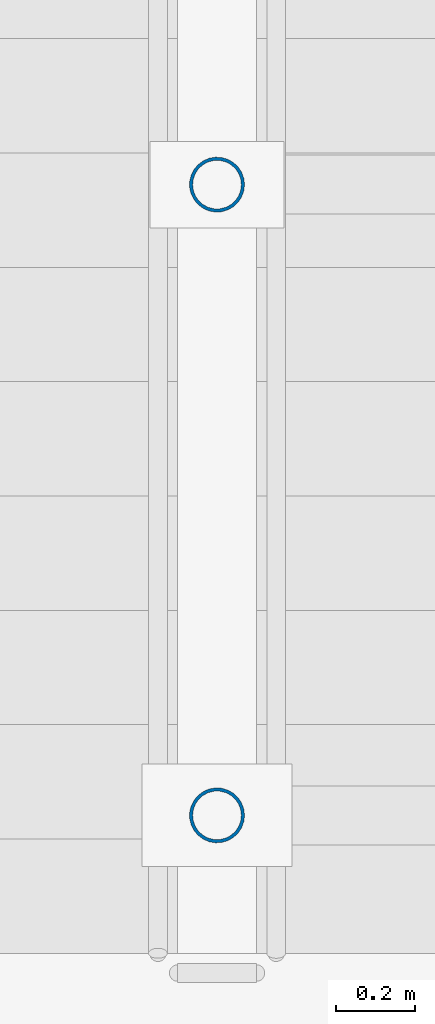
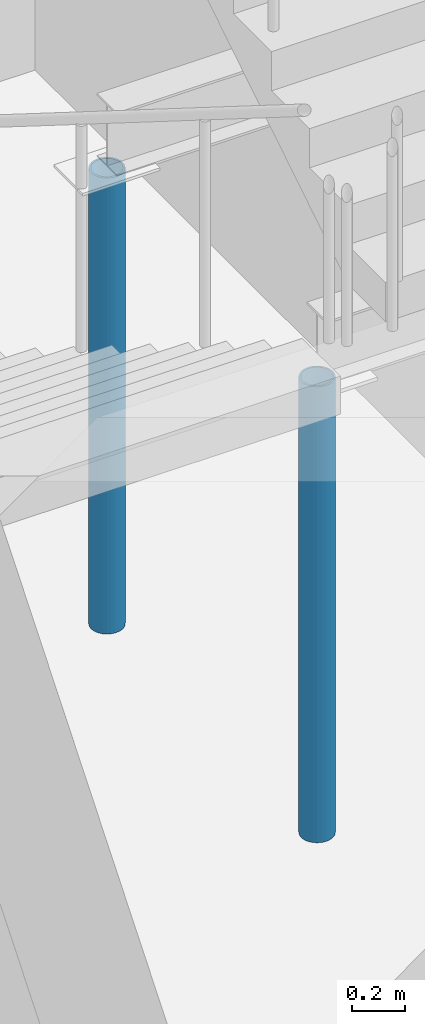
# One storey, part 5 of 80: 2 columns.
"""IFC4 building model written with IfcOpenShell, lengths in metres."""

from ifc_helpers import new_model, si_unit, direction, frame, origin, origin_2d, place, context, subcontext, project, spatial, hollow_circle, extrude, material, material_profile, profile_set, type_object, element, save


model = new_model("IFC4")

# Units and contexts
model_context = context("Model", 3, precision=1e-05, world=origin(), true_north=direction((0.0, 1.0)))
body_context = subcontext(model_context, "Body", "Model", "MODEL_VIEW")
ifc_project = project(units=[si_unit("LENGTHUNIT", "METRE"), si_unit("AREAUNIT", "SQUARE_METRE"), si_unit("VOLUMEUNIT", "CUBIC_METRE"), si_unit("PLANEANGLEUNIT", "RADIAN"), si_unit("MASSUNIT", "GRAM", prefix="KILO")], contexts=[model_context])

# Site, building, storey
site_placement = place(None, origin())
site = spatial("IfcSite", under=ifc_project, at=site_placement, CompositionType="ELEMENT")
building_placement = place(site_placement, origin())
building = spatial("IfcBuilding", under=site, at=building_placement, Name="Krzemoval Escarpment Law Courts", CompositionType="ELEMENT")
storey_placement = place(building_placement, origin())
storey = spatial("IfcBuildingStorey", under=building, at=storey_placement, Name="L00", CompositionType="ELEMENT", Elevation=0.0)

# Columns
ifc_material = material(Name="Steel S355", Category="steel")
ifc_material_profile = material_profile(ifc_material, hollow_circle(Radius=0.06982421875, WallThickness=0.008056640625, at=origin_2d()), Name="CHS 139.7x8")
ifc_profile_set = profile_set([ifc_material_profile], Name="Steel S355")
column_type = type_object("IfcColumnType", Name="COL-S355-CHS140", PredefinedType="COLUMN", material=ifc_profile_set)
for number, where, z_axis, x_axis, name in (
    (1, (27.949951171875, 41.429931640625, 0.0), (0.0, 0.0, 1.0), (1.0, 0.0, 0.0), "Stair Well Post SCP-C5-L00-1"),
    (2, (27.949951171875, 43.030029296875, 0.0), (0.0, 0.0, 1.0), (1.0, 0.0, 0.0), "Stair Well Post SCP-C5-L00-2"),
):
    element("IfcColumn", number, at=place(storey_placement, frame(where, z_axis=z_axis, x_axis=x_axis)), inside=storey, type_object=column_type, Name=name, PredefinedType="COLUMN", context=body_context, shape_type="SweptSolid", body=[
        extrude(hollow_circle(Radius=0.06982421875, WallThickness=0.008056640625, at=origin_2d()), origin(), (0.0, 0.0, 1.0), 2.1201171875),
    ])

save(model, "model.ifc")
